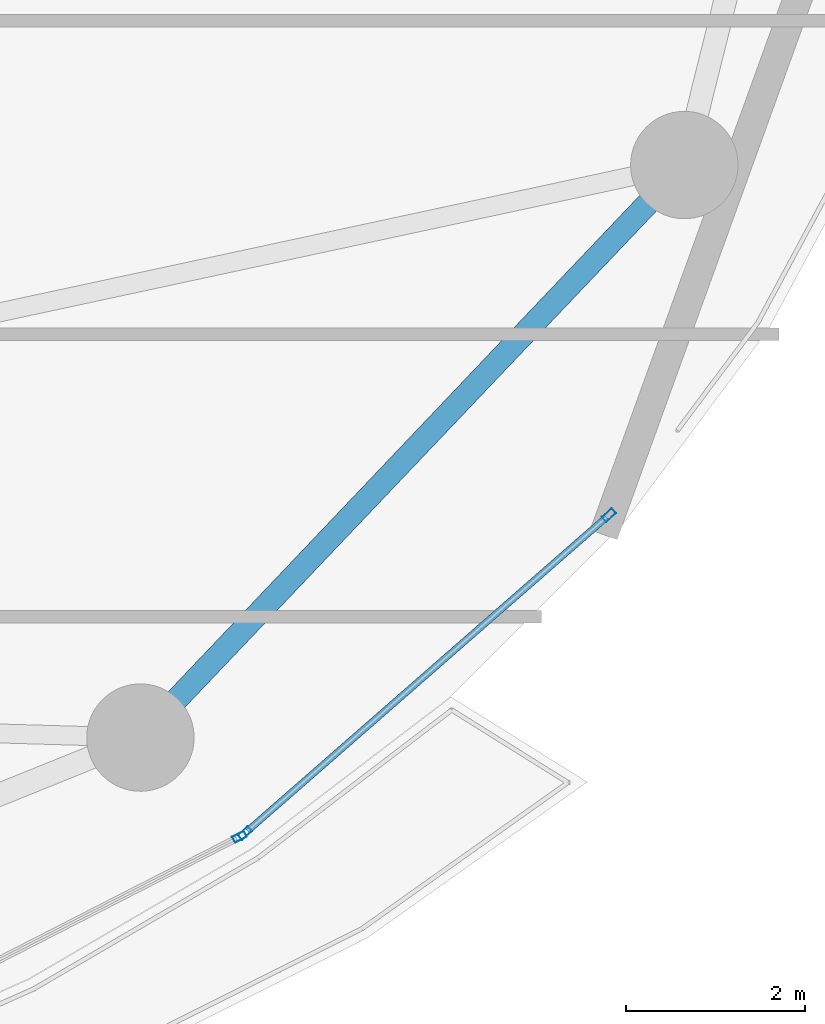
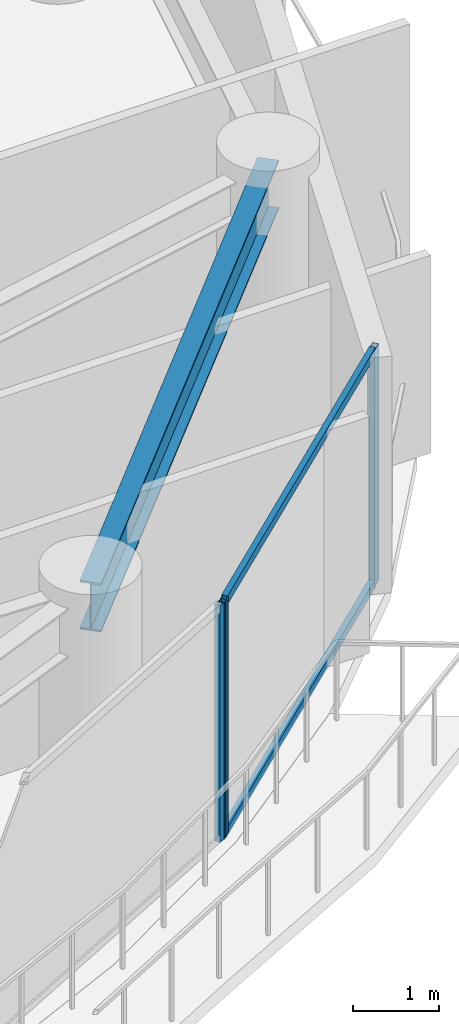
# One storey, part 13 of 31: 5 members, 1 beam, 2 elements without a shape of their own.
"""IFC4 building model written with IfcOpenShell, lengths in metres."""

from ifc_helpers import new_model, si_unit, direction, frame, origin, origin_2d, place, context, subcontext, project, spatial, hollow_rectangle, i_section, extrude, material, layer, layer_set, material_profile, profile_set, type_object, element, aggregate, save


model = new_model("IFC4")

# Units and contexts
model_context = context("Model", 3, precision=1e-05, world=origin(), true_north=direction((0.0, 1.0)))
body_context = subcontext(model_context, "Body", "Model", "MODEL_VIEW")
ifc_project = project(units=[si_unit("LENGTHUNIT", "METRE"), si_unit("AREAUNIT", "SQUARE_METRE"), si_unit("VOLUMEUNIT", "CUBIC_METRE"), si_unit("PLANEANGLEUNIT", "RADIAN"), si_unit("MASSUNIT", "GRAM", prefix="KILO")], contexts=[model_context])

# Site, building, storey
site_placement = place(None, origin())
site = spatial("IfcSite", under=ifc_project, at=site_placement, CompositionType="ELEMENT")
building_placement = place(site_placement, origin())
building = spatial("IfcBuilding", under=site, at=building_placement, Name="Kazevale Care Tower and Concert Hall", CompositionType="ELEMENT")
storey_placement = place(building_placement, frame((0.0, 0.0, 124.199951171875)))
storey = spatial("IfcBuildingStorey", under=building, at=storey_placement, Name="L32", CompositionType="ELEMENT", Elevation=124.199951171875)

# Curtain wall, members
ifc_material_1 = material(Name="Aluminium 6063-T6 and Low-E Glass", Category="aluminium")
ifc_layer = layer(ifc_material_1, 0.179931640625)
ifc_layer_set = layer_set([ifc_layer], Name="Aluminium 6063-T6 and Low-E Glass")
curtain_wall_type = type_object("IfcCurtainWallType", Name="Sheltered Concave Balcony Curtain Wall CW-5", PredefinedType="NOTDEFINED", material=ifc_layer_set)
curtain_wall_1_placement = place(storey_placement, origin())
curtain_wall_1 = element("IfcCurtainWall", 1, at=curtain_wall_1_placement, inside=storey, type_object=curtain_wall_type, Name="cw:L32:f02", PredefinedType="NOTDEFINED")
ifc_material_2 = material(Name="Aluminium 6063-T6", Category="aluminium")
ifc_material_profile_1 = material_profile(ifc_material_2, hollow_rectangle(XDim=0.074951171875, YDim=0.14990234375, WallThickness=0.00390625, at=origin_2d()), Name="ALU75x150x4")
ifc_profile_set_1 = profile_set([ifc_material_profile_1], Name="Aluminium 6063-T6")
member_type_1 = type_object("IfcMemberType", Name="CW-5 Mullion ALU75x150x4", PredefinedType="MULLION", material=ifc_profile_set_1)
member_1_placement = place(storey_placement, frame((70.06787109375, 25.477294921875, 0.0), z_axis=(0.0, 0.0, 1.0), x_axis=(0.657948668382, -0.753062779437, 0.0)))
member_1 = element("IfcMember", 2, at=member_1_placement, type_object=member_type_1, Name="CW-5 mullion 1", PredefinedType="MULLION", context=body_context, shape_type="SweptSolid", body=[
    extrude(hollow_rectangle(XDim=0.074951171875, YDim=0.14990234375, WallThickness=0.00390625, at=origin_2d()), origin(), (0.0, 0.0, 1.0), 3.360107421875),
])
member_2_placement = place(storey_placement, frame((65.999267578125, 21.922607421875, 0.0), z_axis=(0.0, 0.0, 1.0), x_axis=(0.657948668382, -0.753062779437, 0.0)))
member_2 = element("IfcMember", 3, at=member_2_placement, type_object=member_type_1, Name="CW-5 mullion 2", PredefinedType="MULLION", context=body_context, shape_type="SweptSolid", body=[
    extrude(hollow_rectangle(XDim=0.074951171875, YDim=0.14990234375, WallThickness=0.00390625, at=origin_2d()), origin(), (0.0, 0.0, 1.0), 3.360107421875),
])

# Curtain wall, member
curtain_wall_2_placement = place(storey_placement, origin())
curtain_wall_2 = element("IfcCurtainWall", 4, at=curtain_wall_2_placement, inside=storey, type_object=curtain_wall_type, Name="cw:L32:f03", PredefinedType="NOTDEFINED")
member_3_placement = place(storey_placement, frame((65.9375, 21.880859375, 0.0), z_axis=(0.0, 0.0, 1.0), x_axis=(0.455713236575, -0.890126646051, 0.0)))
member_3 = element("IfcMember", 5, at=member_3_placement, type_object=member_type_1, Name="CW-5 mullion 1", PredefinedType="MULLION", context=body_context, shape_type="SweptSolid", body=[
    extrude(hollow_rectangle(XDim=0.074951171875, YDim=0.14990234375, WallThickness=0.00390625, at=origin_2d()), origin(), (0.0, 0.0, 1.0), 3.360107421875),
])
aggregate(curtain_wall_2, [member_3])

# Member
ifc_material_profile_2 = material_profile(ifc_material_2, hollow_rectangle(XDim=0.074951171875, YDim=0.1201171875, WallThickness=0.00390625, at=origin_2d()), Name="ALU75x120x4")
ifc_profile_set_2 = profile_set([ifc_material_profile_2], Name="Aluminium 6063-T6")
member_type_2 = type_object("IfcMemberType", Name="CW-5 Transom ALU75x120x4", PredefinedType="USERDEFINED", material=ifc_profile_set_2)
member_4_placement = place(storey_placement, frame((70.03955078125, 25.45263671875, 0.03759765625), z_axis=(-0.753050570644, -0.657962641837, 0.0), x_axis=(0.657962641837, -0.753050570644, 0.0)))
member_4 = element("IfcMember", 6, at=member_4_placement, type_object=member_type_2, Name="CW-5 transom 1.1", ObjectType="TRANSOM", PredefinedType="USERDEFINED", context=body_context, shape_type="SweptSolid", body=[
    extrude(hollow_rectangle(XDim=0.074951171875, YDim=0.1201171875, WallThickness=0.00390625, at=origin_2d()), origin(), (0.0, 0.0, 1.0), 5.32763671875),
])

member_5_placement = place(storey_placement, frame((70.03955078125, 25.45263671875, 3.322509765625), z_axis=(-0.753050570644, -0.657962641837, 0.0), x_axis=(0.657962641837, -0.753050570644, 0.0)))
member_5 = element("IfcMember", 7, at=member_5_placement, type_object=member_type_2, Name="CW-5 transom 1.2", ObjectType="TRANSOM", PredefinedType="USERDEFINED", context=body_context, shape_type="SweptSolid", body=[
    extrude(hollow_rectangle(XDim=0.074951171875, YDim=0.1201171875, WallThickness=0.00390625, at=origin_2d()), origin(), (0.0, 0.0, 1.0), 5.32763671875),
])

aggregate(curtain_wall_1, [member_1, member_2, member_4, member_5])

# Beam
ifc_material_3 = material(Name="Steel ASTM A572 Gr 50", Category="steel")
ifc_material_profile_3 = material_profile(ifc_material_3, i_section(OverallWidth=0.256103515625, OverallDepth=0.693115234375, WebThickness=0.014404296875, FlangeThickness=0.023681640625, at=origin_2d()), Name="W690x170")
ifc_profile_set_3 = profile_set([ifc_material_profile_3], Name="Steel ASTM A572 Gr 50")
beam_type = type_object("IfcBeamType", Name="Waist Ring Beam W690x170", PredefinedType="BEAM", material=ifc_profile_set_3)
beam_placement = place(storey_placement, frame((64.830078125, 22.989990234375, 3.013427734375), z_axis=(0.688745100728, 0.725003576697, 0.0), x_axis=(-0.725003576697, 0.688745100728, 0.0)))
element("IfcBeam", 8, at=beam_placement, inside=storey, type_object=beam_type, Name="beam:L32:ring:15", PredefinedType="BEAM", context=body_context, shape_type="SweptSolid", body=[
    extrude(i_section(OverallWidth=0.256103515625, OverallDepth=0.693115234375, WebThickness=0.014404296875, FlangeThickness=0.023681640625, at=origin_2d()), origin(), (0.0, 0.0, 1.0), 8.827392578125),
])

save(model, "model.ifc")
